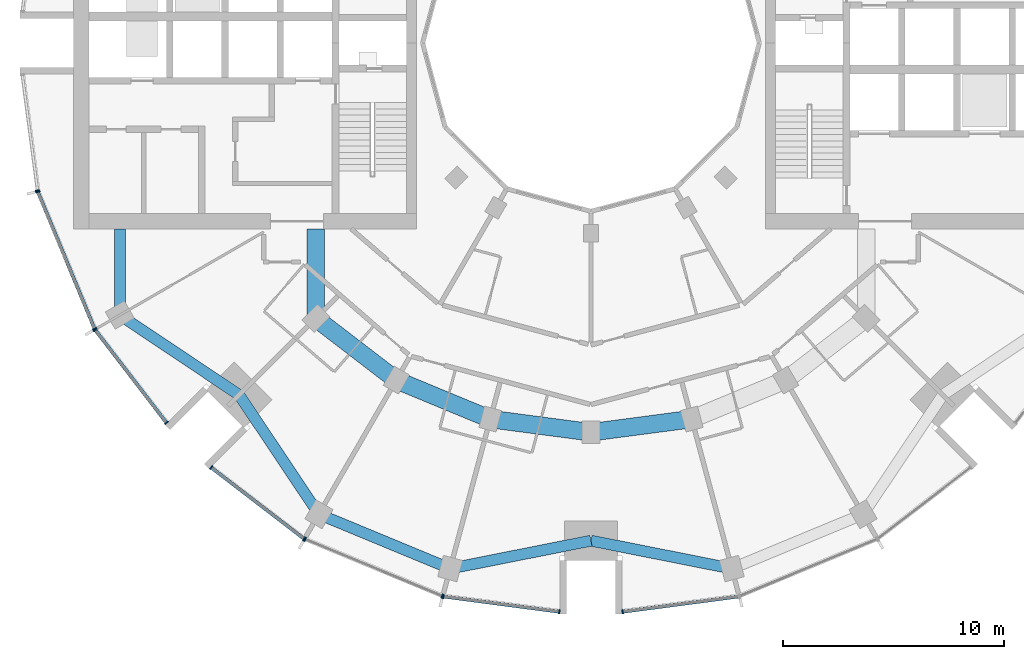
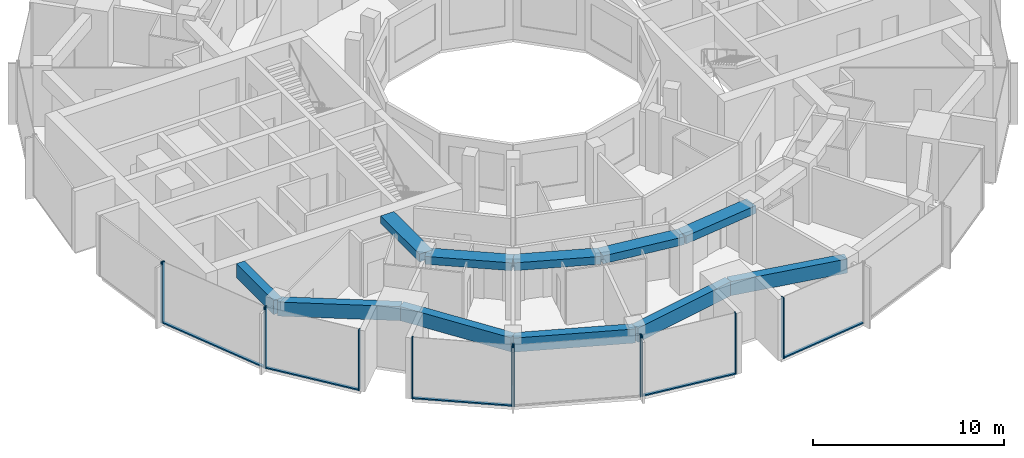
# One storey, part 2 of 15: 17 members, 11 beams, 7 elements without a shape of their own.
"""IFC4 building model written with IfcOpenShell, lengths in metres."""

from ifc_helpers import new_model, si_unit, direction, frame, origin, origin_2d, place, context, subcontext, project, spatial, rectangle, extrude, material, layer, layer_set, material_profile, profile_set, type_object, element, aggregate, save


model = new_model("IFC4")

# Units and contexts
model_context = context("Model", 3, precision=1e-05, world=origin(), true_north=direction((0.0, 1.0)))
body_context = subcontext(model_context, "Body", "Model", "MODEL_VIEW")
ifc_project = project(units=[si_unit("LENGTHUNIT", "METRE"), si_unit("AREAUNIT", "SQUARE_METRE"), si_unit("VOLUMEUNIT", "CUBIC_METRE"), si_unit("PLANEANGLEUNIT", "RADIAN"), si_unit("MASSUNIT", "GRAM", prefix="KILO")], contexts=[model_context])

# Site, building, storey
site_placement = place(None, origin())
site = spatial("IfcSite", under=ifc_project, at=site_placement, CompositionType="ELEMENT")
building_placement = place(site_placement, origin())
building = spatial("IfcBuilding", under=site, at=building_placement, Name="Torre Brocal", CompositionType="ELEMENT")
storey_placement = place(building_placement, frame((0.0, 0.0, 122.39990234375)))
storey = spatial("IfcBuildingStorey", under=building, at=storey_placement, Name="L28", CompositionType="ELEMENT", Elevation=122.39990234375)

# Curtain wall, members
ifc_material_1 = material(Name="Aluminium and glass", Category="aluminium")
ifc_layer_1 = layer(ifc_material_1, 0.199951171875)
ifc_layer_set_1 = layer_set([ifc_layer_1], Name="Aluminium and glass")
curtain_wall_type_1 = type_object("IfcCurtainWallType", Name="CW-1 CURTAIN WALL 3900 HIGH", PredefinedType="NOTDEFINED", material=ifc_layer_set_1)
curtain_wall_1_placement = place(storey_placement, origin())
curtain_wall_1 = element("IfcCurtainWall", 1, at=curtain_wall_1_placement, inside=storey, type_object=curtain_wall_type_1, Name="CW-1 RUN 14", PredefinedType="NOTDEFINED")
ifc_material_2 = material(Name="Aluminium, dark anodised", Category="aluminium")
ifc_material_profile_1 = material_profile(ifc_material_2, rectangle(XDim=0.199951171875, YDim=0.06005859375, at=origin_2d()), Name="CW-1 MULLION 60X200")
ifc_profile_set_1 = profile_set([ifc_material_profile_1], Name="Aluminium, dark anodised")
member_type_1 = type_object("IfcMemberType", Name="CW-1 MULLION 60X200", PredefinedType="MULLION", material=ifc_profile_set_1)
member_1_placement = place(storey_placement, frame((54.994873046875, 68.26904296875, 0.0), z_axis=(0.0, 0.0, 1.0), x_axis=(0.923879532525, 0.382683432333, 0.0)))
member_1 = element("IfcMember", 2, at=member_1_placement, type_object=member_type_1, Name="CW1-3 mullion 1", PredefinedType="MULLION", context=body_context, shape_type="SweptSolid", body=[
    extrude(rectangle(XDim=0.199951171875, YDim=0.06005859375, at=origin_2d()), origin(), (0.0, 0.0, 1.0), 3.900146484375),
])
member_2_placement = place(storey_placement, frame((57.559326171875, 62.078125, 0.0), z_axis=(0.0, 0.0, 1.0), x_axis=(0.923879532525, 0.382683432333, 0.0)))
member_2 = element("IfcMember", 3, at=member_2_placement, type_object=member_type_1, Name="CW1-3 mullion 2", PredefinedType="MULLION", context=body_context, shape_type="SweptSolid", body=[
    extrude(rectangle(XDim=0.199951171875, YDim=0.06005859375, at=origin_2d()), origin(), (0.0, 0.0, 1.0), 3.900146484375),
])

curtain_wall_2_placement = place(storey_placement, origin())
curtain_wall_2 = element("IfcCurtainWall", 4, at=curtain_wall_2_placement, inside=storey, type_object=curtain_wall_type_1, Name="CW-1 RUN 15", PredefinedType="NOTDEFINED")
member_3_placement = place(storey_placement, frame((57.5888671875, 62.026611328125, 0.0), z_axis=(0.0, 0.0, 1.0), x_axis=(0.793353340259, 0.60876142905, 0.0)))
member_3 = element("IfcMember", 5, at=member_3_placement, type_object=member_type_1, Name="CW1-3 mullion 1", PredefinedType="MULLION", context=body_context, shape_type="SweptSolid", body=[
    extrude(rectangle(XDim=0.199951171875, YDim=0.06005859375, at=origin_2d()), origin(), (0.0, 0.0, 1.0), 3.900146484375),
])
member_4_placement = place(storey_placement, frame((60.80859375, 57.83056640625, 0.0), z_axis=(0.0, 0.0, 1.0), x_axis=(0.793353340259, 0.60876142905, 0.0)))
member_4 = element("IfcMember", 6, at=member_4_placement, type_object=member_type_1, Name="CW1-3 mullion 2", PredefinedType="MULLION", context=body_context, shape_type="SweptSolid", body=[
    extrude(rectangle(XDim=0.199951171875, YDim=0.06005859375, at=origin_2d()), origin(), (0.0, 0.0, 1.0), 3.900146484375),
])

curtain_wall_3_placement = place(storey_placement, origin())
curtain_wall_3 = element("IfcCurtainWall", 7, at=curtain_wall_3_placement, inside=storey, type_object=curtain_wall_type_1, Name="CW-1 RUN 16", PredefinedType="NOTDEFINED")
member_5_placement = place(storey_placement, frame((62.83056640625, 55.80859375, 0.0), z_axis=(0.0, 0.0, 1.0), x_axis=(0.60876142905, 0.793353340259, 0.0)))
member_5 = element("IfcMember", 8, at=member_5_placement, type_object=member_type_1, Name="CW1-3 mullion 1", PredefinedType="MULLION", context=body_context, shape_type="SweptSolid", body=[
    extrude(rectangle(XDim=0.199951171875, YDim=0.06005859375, at=origin_2d()), origin(), (0.0, 0.0, 1.0), 3.900146484375),
])
member_6_placement = place(storey_placement, frame((67.026611328125, 52.5888671875, 0.0), z_axis=(0.0, 0.0, 1.0), x_axis=(0.60876142905, 0.793353340259, 0.0)))
member_6 = element("IfcMember", 9, at=member_6_placement, type_object=member_type_1, Name="CW1-3 mullion 2", PredefinedType="MULLION", context=body_context, shape_type="SweptSolid", body=[
    extrude(rectangle(XDim=0.199951171875, YDim=0.06005859375, at=origin_2d()), origin(), (0.0, 0.0, 1.0), 3.900146484375),
])

curtain_wall_4_placement = place(storey_placement, origin())
curtain_wall_4 = element("IfcCurtainWall", 10, at=curtain_wall_4_placement, inside=storey, type_object=curtain_wall_type_1, Name="CW-1 RUN 17", PredefinedType="NOTDEFINED")
member_7_placement = place(storey_placement, frame((67.078125, 52.559326171875, 0.0), z_axis=(0.0, 0.0, 1.0), x_axis=(0.382683432333, 0.923879532525, 0.0)))
member_7 = element("IfcMember", 11, at=member_7_placement, type_object=member_type_1, Name="CW1-3 mullion 1", PredefinedType="MULLION", context=body_context, shape_type="SweptSolid", body=[
    extrude(rectangle(XDim=0.199951171875, YDim=0.06005859375, at=origin_2d()), origin(), (0.0, 0.0, 1.0), 3.900146484375),
])
member_8_placement = place(storey_placement, frame((73.26904296875, 49.994873046875, 0.0), z_axis=(0.0, 0.0, 1.0), x_axis=(0.382683432333, 0.923879532525, 0.0)))
member_8 = element("IfcMember", 12, at=member_8_placement, type_object=member_type_1, Name="CW1-3 mullion 2", PredefinedType="MULLION", context=body_context, shape_type="SweptSolid", body=[
    extrude(rectangle(XDim=0.199951171875, YDim=0.06005859375, at=origin_2d()), origin(), (0.0, 0.0, 1.0), 3.900146484375),
])
aggregate(curtain_wall_4, [member_7, member_8])

curtain_wall_5_placement = place(storey_placement, origin())
curtain_wall_5 = element("IfcCurtainWall", 13, at=curtain_wall_5_placement, inside=storey, type_object=curtain_wall_type_1, Name="CW-1 RUN 18", PredefinedType="NOTDEFINED")
member_9_placement = place(storey_placement, frame((73.32666015625, 49.9794921875, 0.0), z_axis=(0.0, 0.0, 1.0), x_axis=(0.13052619222, 0.991444861374, 0.0)))
member_9 = element("IfcMember", 14, at=member_9_placement, type_object=member_type_1, Name="CW1-3 mullion 1", PredefinedType="MULLION", context=body_context, shape_type="SweptSolid", body=[
    extrude(rectangle(XDim=0.199951171875, YDim=0.06005859375, at=origin_2d()), origin(), (0.0, 0.0, 1.0), 3.900146484375),
])
member_10_placement = place(storey_placement, frame((78.5703125, 49.2890625, 0.0), z_axis=(0.0, 0.0, 1.0), x_axis=(0.13052619222, 0.991444861374, 0.0)))
member_10 = element("IfcMember", 15, at=member_10_placement, type_object=member_type_1, Name="CW1-3 mullion 2", PredefinedType="MULLION", context=body_context, shape_type="SweptSolid", body=[
    extrude(rectangle(XDim=0.199951171875, YDim=0.06005859375, at=origin_2d()), origin(), (0.0, 0.0, 1.0), 3.900146484375),
])

# Curtain wall, member
curtain_wall_6_placement = place(storey_placement, origin())
curtain_wall_6 = element("IfcCurtainWall", 16, at=curtain_wall_6_placement, inside=storey, type_object=curtain_wall_type_1, Name="CW-1 RUN 19", PredefinedType="NOTDEFINED")
member_11_placement = place(storey_placement, frame((81.4296875, 49.2890625, 0.0), z_axis=(0.0, 0.0, 1.0), x_axis=(-0.13052619222, 0.991444861374, 0.0)))
member_11 = element("IfcMember", 17, at=member_11_placement, type_object=member_type_1, Name="CW1-3 mullion 1", PredefinedType="MULLION", context=body_context, shape_type="SweptSolid", body=[
    extrude(rectangle(XDim=0.199951171875, YDim=0.06005859375, at=origin_2d()), origin(), (0.0, 0.0, 1.0), 3.900146484375),
])

# Member
ifc_material_3 = material(Name="Aluminium, dark anodised", Category="aluminium")
ifc_material_profile_2 = material_profile(ifc_material_3, rectangle(XDim=0.159912109375, YDim=0.080078125, at=origin_2d()), Name="CW-1 TRANSOM 160X80")
ifc_profile_set_2 = profile_set([ifc_material_profile_2], Name="Aluminium, dark anodised")
member_type_2 = type_object("IfcMemberType", Name="CW-1 TRANSOM 160X80", PredefinedType="USERDEFINED", material=ifc_profile_set_2)
member_12_placement = place(storey_placement, frame((55.00634765625, 68.241455078125, 0.0400390625), z_axis=(0.38266457234, -0.923887344364, 0.0), x_axis=(0.923887344364, 0.38266457234, 0.0)))
member_12 = element("IfcMember", 18, at=member_12_placement, type_object=member_type_2, Name="CW1-3 transom 1.1", ObjectType="TRANSOM", PredefinedType="USERDEFINED", context=body_context, shape_type="SweptSolid", body=[
    extrude(rectangle(XDim=0.159912109375, YDim=0.080078125, at=origin_2d()), origin(), (0.0, 0.0, 1.0), 6.640869140625),
])

aggregate(curtain_wall_1, [member_1, member_2, member_12])

member_13_placement = place(storey_placement, frame((57.607177734375, 62.0029296875, 0.0400390625), z_axis=(0.60874908096, -0.79336281513, 0.0), x_axis=(0.79336281513, 0.60874908096, 0.0)))
member_13 = element("IfcMember", 19, at=member_13_placement, type_object=member_type_2, Name="CW1-3 transom 1.1", ObjectType="TRANSOM", PredefinedType="USERDEFINED", context=body_context, shape_type="SweptSolid", body=[
    extrude(rectangle(XDim=0.159912109375, YDim=0.080078125, at=origin_2d()), origin(), (0.0, 0.0, 1.0), 5.22900390625),
])

aggregate(curtain_wall_2, [member_3, member_4, member_13])

member_14_placement = place(storey_placement, frame((62.8544921875, 55.790283203125, 0.0400390625), z_axis=(0.79336281513, -0.60874908096, 0.0), x_axis=(0.60874908096, 0.79336281513, 0.0)))
member_14 = element("IfcMember", 20, at=member_14_placement, type_object=member_type_2, Name="CW1-3 transom 1.1", ObjectType="TRANSOM", PredefinedType="USERDEFINED", context=body_context, shape_type="SweptSolid", body=[
    extrude(rectangle(XDim=0.159912109375, YDim=0.080078125, at=origin_2d()), origin(), (0.0, 0.0, 1.0), 5.22900390625),
])

aggregate(curtain_wall_3, [member_5, member_6, member_14])

member_15_placement = place(storey_placement, frame((73.356201171875, 49.9755859375, 0.0400390625), z_axis=(0.991442690863, -0.130542677827, 0.0), x_axis=(0.130542677827, 0.991442690863, 0.0)))
member_15 = element("IfcMember", 21, at=member_15_placement, type_object=member_type_2, Name="CW1-3 transom 1.1", ObjectType="TRANSOM", PredefinedType="USERDEFINED", context=body_context, shape_type="SweptSolid", body=[
    extrude(rectangle(XDim=0.159912109375, YDim=0.080078125, at=origin_2d()), origin(), (0.0, 0.0, 1.0), 5.22900390625),
])

aggregate(curtain_wall_5, [member_9, member_10, member_15])

member_16_placement = place(storey_placement, frame((81.45947265625, 49.29296875, 0.0400390625), z_axis=(0.991442690863, 0.130542677827, 0.0), x_axis=(-0.130542677827, 0.991442690863, 0.0)))
member_16 = element("IfcMember", 22, at=member_16_placement, type_object=member_type_2, Name="CW1-3 transom 1.1", ObjectType="TRANSOM", PredefinedType="USERDEFINED", context=body_context, shape_type="SweptSolid", body=[
    extrude(rectangle(XDim=0.159912109375, YDim=0.080078125, at=origin_2d()), origin(), (0.0, 0.0, 1.0), 5.22900390625),
])

aggregate(curtain_wall_6, [member_11, member_16])

# Curtain wall, member
ifc_material_4 = material(Name="Aluminium and glass", Category="aluminium")
ifc_layer_2 = layer(ifc_material_4, 0.199951171875)
ifc_layer_set_2 = layer_set([ifc_layer_2], Name="Aluminium and glass")
curtain_wall_type_2 = type_object("IfcCurtainWallType", Name="CW-1B CURTAIN WALL 3900 HIGH", PredefinedType="NOTDEFINED", material=ifc_layer_set_2)
curtain_wall_7_placement = place(storey_placement, origin())
curtain_wall_7 = element("IfcCurtainWall", 23, at=curtain_wall_7_placement, inside=storey, type_object=curtain_wall_type_2, Name="CW-1B RUN 13", PredefinedType="NOTDEFINED")
ifc_material_5 = material(Name="Aluminium, dark anodised", Category="aluminium")
ifc_material_profile_3 = material_profile(ifc_material_5, rectangle(XDim=0.199951171875, YDim=0.06005859375, at=origin_2d()), Name="CW-1B MULLION 60X200")
ifc_profile_set_3 = profile_set([ifc_material_profile_3], Name="Aluminium, dark anodised")
member_type_3 = type_object("IfcMemberType", Name="CW-1B MULLION 60X200", PredefinedType="MULLION", material=ifc_profile_set_3)
member_17_placement = place(storey_placement, frame((54.9794921875, 68.32666015625, 0.0), z_axis=(0.0, 0.0, 1.0), x_axis=(0.991444861374, 0.13052619222, 0.0)))
member_17 = element("IfcMember", 24, at=member_17_placement, type_object=member_type_3, Name="CW1B-3 mullion 2", PredefinedType="MULLION", context=body_context, shape_type="SweptSolid", body=[
    extrude(rectangle(XDim=0.199951171875, YDim=0.06005859375, at=origin_2d()), origin(), (0.0, 0.0, 1.0), 3.900146484375),
])
aggregate(curtain_wall_7, [member_17])

# Beams
ifc_material_6 = material(Name="Concrete C50", Category="concrete")
ifc_material_profile_4 = material_profile(ifc_material_6, rectangle(XDim=0.800048828125, YDim=0.5, at=origin_2d()), Name="RC 800X500")
ifc_profile_set_4 = profile_set([ifc_material_profile_4], Name="Concrete C50")
beam_type_1 = type_object("IfcBeamType", Name="RC BEAM 800X500 C50 TOP 3580", PredefinedType="BEAM", material=ifc_profile_set_4)
beam_1_placement = place(storey_placement, frame((67.554931640625, 62.554931640625, 3.330078125), z_axis=(0.0, 1.0, 0.0), x_axis=(-1.0, 0.0, 0.0)))
element("IfcBeam", 25, at=beam_1_placement, inside=storey, type_object=beam_type_1, Name="Beam BT-28", PredefinedType="BEAM", context=body_context, shape_type="SweptSolid", body=[
    extrude(rectangle(XDim=0.800048828125, YDim=0.5, at=origin_2d()), origin(), (0.0, 0.0, 1.0), 4.045166015625),
])
beam_2_placement = place(storey_placement, frame((67.554931640625, 62.554931640625, 3.330078125), z_axis=(0.793358265959, -0.6087550097, 0.0), x_axis=(0.6087550097, 0.793358265959, 0.0)))
element("IfcBeam", 26, at=beam_2_placement, inside=storey, type_object=beam_type_1, Name="Beam BT-28", PredefinedType="BEAM", context=body_context, shape_type="SweptSolid", body=[
    extrude(rectangle(XDim=0.800048828125, YDim=0.5, at=origin_2d()), origin(), (0.0, 0.0, 1.0), 4.594482421875),
])
beam_3_placement = place(storey_placement, frame((71.199951171875, 59.758056640625, 3.330078125), z_axis=(0.923878240166, -0.382686552348, 0.0), x_axis=(0.382686552348, 0.923878240166, 0.0)))
element("IfcBeam", 27, at=beam_3_placement, inside=storey, type_object=beam_type_1, Name="Beam BT-28", PredefinedType="BEAM", context=body_context, shape_type="SweptSolid", body=[
    extrude(rectangle(XDim=0.800048828125, YDim=0.5, at=origin_2d()), origin(), (0.0, 0.0, 1.0), 4.5947265625),
])
for number, where, z_axis, x_axis, name in (
    (28, (75.44482421875, 57.999755859375, 3.330078125), (0.991440544449, -0.130558978332, 0.0), (0.130558978332, 0.991440544449, 0.0), "Beam BT-28"),
    (29, (80.0, 57.39990234375, 3.330078125), (0.991440544449, 0.130558978332, 0.0), (-0.130558978332, 0.991440544449, 0.0), "Beam BT-28"),
):
    element("IfcBeam", number, at=place(storey_placement, frame(where, z_axis=z_axis, x_axis=x_axis)), inside=storey, type_object=beam_type_1, Name=name, PredefinedType="BEAM", context=body_context, shape_type="SweptSolid", body=[
        extrude(rectangle(XDim=0.800048828125, YDim=0.5, at=origin_2d()), origin(), (0.0, 0.0, 1.0), 4.594482421875),
    ])
ifc_material_7 = material(Name="Concrete C50", Category="concrete")
ifc_material_profile_5 = material_profile(ifc_material_7, rectangle(XDim=0.5, YDim=0.89990234375, at=origin_2d()), Name="RC 500X900")
ifc_profile_set_5 = profile_set([ifc_material_profile_5], Name="Concrete C50")
beam_type_2 = type_object("IfcBeamType", Name="RC SPANDREL BEAM 500X900 C50 TOP 3580", PredefinedType="SPANDREL", material=ifc_profile_set_5)
beam_4_placement = place(storey_placement, frame((58.69580078125, 62.699951171875, 3.130126953125), z_axis=(0.0, 1.0, 0.0), x_axis=(-1.0, 0.0, 0.0)))
element("IfcBeam", 30, at=beam_4_placement, inside=storey, type_object=beam_type_2, Name="Beam BT-29", PredefinedType="SPANDREL", context=body_context, shape_type="SweptSolid", body=[
    extrude(rectangle(XDim=0.5, YDim=0.89990234375, at=origin_2d()), origin(), (0.0, 0.0, 1.0), 3.900146484375),
])
for number, where, z_axis, x_axis, name in (
    (31, (58.69580078125, 62.699951171875, 3.130126953125), (0.831076844476, -0.556157602282, 0.0), (0.556157602282, 0.831076844476, 0.0), "Beam BT-29"),
    (32, (64.090087890625, 59.090087890625, 3.130126953125), (0.556157602282, -0.831076844476, 0.0), (0.831076844476, 0.556157602282, 0.0), "Beam BT-29"),
):
    element("IfcBeam", number, at=place(storey_placement, frame(where, z_axis=z_axis, x_axis=x_axis)), inside=storey, type_object=beam_type_2, Name=name, PredefinedType="SPANDREL", context=body_context, shape_type="SweptSolid", body=[
        extrude(rectangle(XDim=0.5, YDim=0.89990234375, at=origin_2d()), origin(), (0.0, 0.0, 1.0), 6.49072265625),
    ])
beam_5_placement = place(storey_placement, frame((67.699951171875, 53.69580078125, 3.130126953125), z_axis=(0.923882462513, -0.382676358639, 0.0), x_axis=(0.382676358639, 0.923882462513, 0.0)))
element("IfcBeam", 33, at=beam_5_placement, inside=storey, type_object=beam_type_2, Name="Beam BT-29", PredefinedType="SPANDREL", context=body_context, shape_type="SweptSolid", body=[
    extrude(rectangle(XDim=0.5, YDim=0.89990234375, at=origin_2d()), origin(), (0.0, 0.0, 1.0), 6.421875),
])
for number, where, z_axis, x_axis, name in (
    (34, (73.633056640625, 51.23828125, 3.130126953125), (0.980924907484, 0.194387051723, 0.0), (-0.194387051723, 0.980924907484, 0.0), "Beam BT-29"),
    (35, (80.0, 52.5, 3.130126953125), (0.980924907484, -0.194387051723, 0.0), (0.194387051723, 0.980924907484, 0.0), "Beam BT-29"),
):
    element("IfcBeam", number, at=place(storey_placement, frame(where, z_axis=z_axis, x_axis=x_axis)), inside=storey, type_object=beam_type_2, Name=name, PredefinedType="SPANDREL", context=body_context, shape_type="SweptSolid", body=[
        extrude(rectangle(XDim=0.5, YDim=0.89990234375, at=origin_2d()), origin(), (0.0, 0.0, 1.0), 6.49072265625),
    ])

save(model, "model.ifc")
